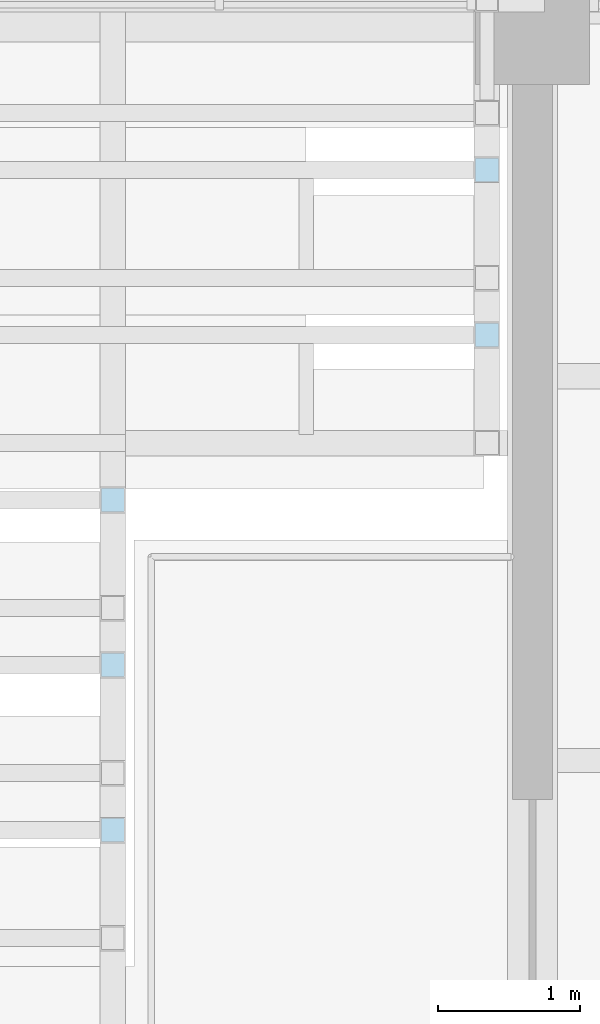
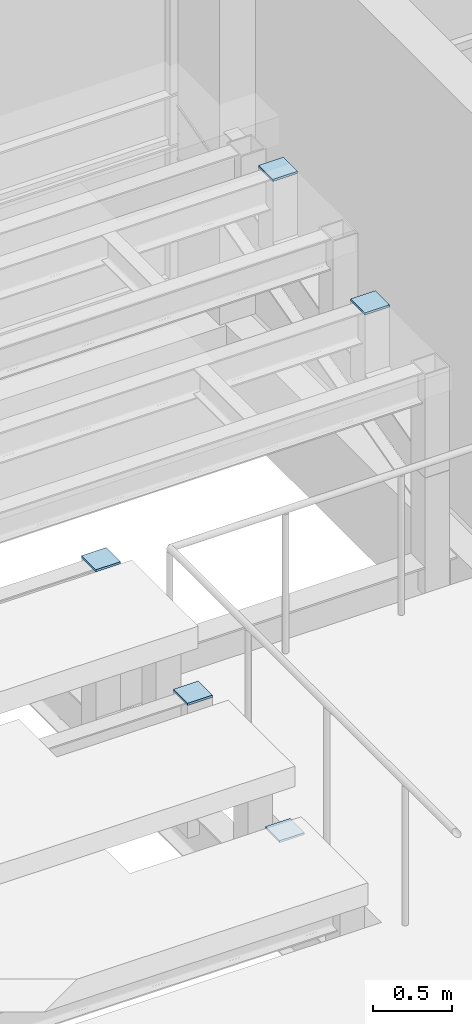
# One storey, part 99 of 122: 5 plates.
"""IFC4 building model written with IfcOpenShell, lengths in metres."""

from ifc_helpers import new_model, si_unit, direction, frame, origin, origin_2d, place, context, subcontext, project, spatial, rectangle, extrude, material, layer, layer_set, type_object, element, save


model = new_model("IFC4")

# Units and contexts
model_context = context("Model", 3, precision=1e-05, world=origin(), true_north=direction((0.0, 1.0)))
body_context = subcontext(model_context, "Body", "Model", "MODEL_VIEW")
ifc_project = project(units=[si_unit("LENGTHUNIT", "METRE"), si_unit("AREAUNIT", "SQUARE_METRE"), si_unit("VOLUMEUNIT", "CUBIC_METRE"), si_unit("PLANEANGLEUNIT", "RADIAN"), si_unit("MASSUNIT", "GRAM", prefix="KILO")], contexts=[model_context])

# Site, building, storey
site_placement = place(None, origin())
site = spatial("IfcSite", under=ifc_project, at=site_placement, CompositionType="ELEMENT")
building_placement = place(site_placement, origin())
building = spatial("IfcBuilding", under=site, at=building_placement, Name="Tenunan Teduh Sports Hall", CompositionType="ELEMENT")
storey_placement = place(building_placement, frame((0.0, 0.0, 5.39990234375)))
storey = spatial("IfcBuildingStorey", under=building, at=storey_placement, Name="L01", CompositionType="ELEMENT", Elevation=5.39990234375)

# Plates
ifc_material = material(Name="Steel S355", Category="steel")
ifc_layer = layer(ifc_material, 0.01611328125)
ifc_layer_set = layer_set([ifc_layer], Name="Steel S355")
plate_type = type_object("IfcPlateType", Name="PLT-CAP-180", PredefinedType="SHEET", material=ifc_layer_set)
for number, where, z_axis, x_axis, name in (
    (1, (51.050048828125, 40.159912109375, 0.169921875), (0.0, 0.0, 1.0), (1.0, 0.0, 0.0), "PLT-CAP-L01-024"),
    (2, (51.050048828125, 41.320068359375, 0.525146484375), (0.0, 0.0, 1.0), (1.0, 0.0, 0.0), "PLT-CAP-L01-025"),
    (3, (51.050048828125, 42.47998046875, 0.85009765625), (0.0, 0.0, 1.0), (1.0, 0.0, 0.0), "PLT-CAP-L01-026"),
    (4, (53.679931640625, 43.639892578125, 1.205078125), (0.0, 0.0, 1.0), (1.0, 0.0, 0.0), "PLT-CAP-L01-027"),
    (5, (53.679931640625, 44.800048828125, 1.530029296875), (0.0, 0.0, 1.0), (1.0, 0.0, 0.0), "PLT-CAP-L01-028"),
):
    element("IfcPlate", number, at=place(storey_placement, frame(where, z_axis=z_axis, x_axis=x_axis)), inside=storey, type_object=plate_type, Name=name, PredefinedType="SHEET", context=body_context, shape_type="SweptSolid", body=[
        extrude(rectangle(XDim=0.179931640625, YDim=0.179931640625, at=origin_2d()), origin(), (0.0, 0.0, 1.0), 0.01611328125),
    ])

save(model, "model.ifc")
